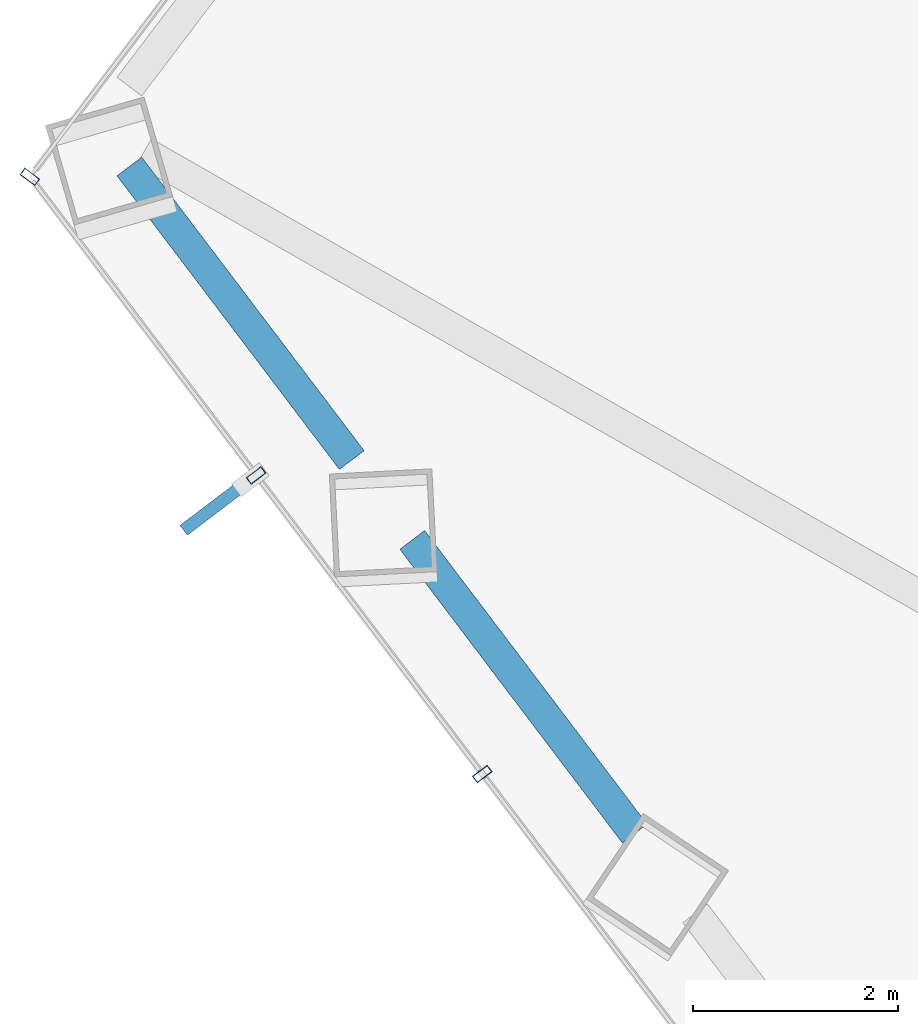
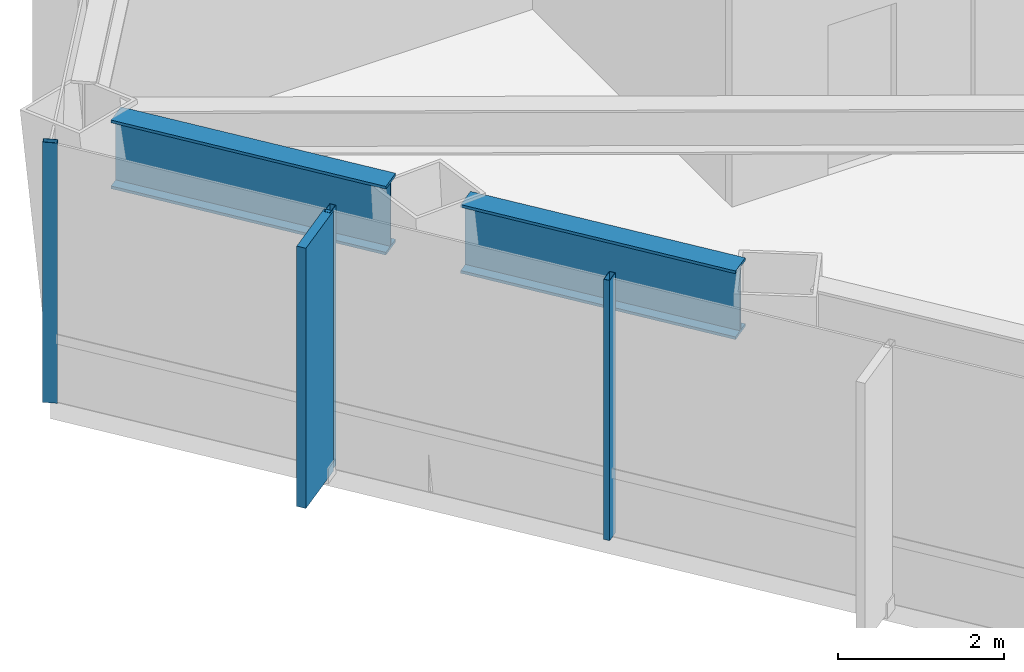
# One storey, part 3 of 26: 4 members, 2 beams, 2 elements without a shape of their own.
"""IFC4 building model written with IfcOpenShell, lengths in metres."""

import ifcopenshell
import ifcopenshell.guid

model = None  # the IFC model being written
_history = None  # IfcOwnerHistory: only IFC2X3 demands one
_inside = {}  # id of a spatial element -> (the spatial element, [elements in it])
_under = {}  # id of a project, library or spatial element -> (it, [spatial elements below it])
_declared = {}  # id of a project -> (the project, [libraries it declares])
_typed = {}  # id of a type object -> (the type object, [elements of that type])
_made_of = {}  # id of a material, layer set ... -> (it, [elements and type objects made of it])


def new_model(schema):
    """Start an empty IFC model of exactly this schema.

    Asked for "IFC4X3", IfcOpenShell would pick the latest addendum, in which some entities
    have other attributes; the version numbers below select the first issue.
    IFC2X3 requires an IfcOwnerHistory on every rooted entity: one is made here for all.
    """
    global model, _history
    if schema == "IFC4X3":
        model = ifcopenshell.file(schema_version=(4, 3, 0, 0))
    else:
        model = ifcopenshell.file(schema=schema)
    _inside.clear()
    _under.clear()
    _declared.clear()
    _typed.clear()
    _made_of.clear()
    _history = None
    if model.schema == "IFC2X3":
        org = make("IfcOrganization", Name="unknown")
        user = make(
            "IfcPersonAndOrganization",
            ThePerson=make("IfcPerson", FamilyName="unknown"),
            TheOrganization=org,
        )
        app = make(
            "IfcApplication",
            ApplicationDeveloper=org,
            Version="unknown",
            ApplicationFullName="unknown",
            ApplicationIdentifier="unknown",
        )
        _history = make(
            "IfcOwnerHistory",
            OwningUser=user,
            OwningApplication=app,
            ChangeAction="ADDED",
            CreationDate=0,
        )
    return model


def make(cls, **values):
    """One entity of the class cls with the attributes given. An attribute that is None is left unset."""
    return model.create_entity(
        cls, **{name: value for name, value in values.items() if value is not None}
    )


def rooted(cls, **values):
    """An entity with a GlobalId (a new one), such as an element, a storey or a relation."""
    return make(cls, GlobalId=ifcopenshell.guid.new(), OwnerHistory=_history, **values)


def si_unit(unit_type, name, prefix=None):
    """IfcSIUnit, for example si_unit("LENGTHUNIT", "METRE", prefix="MILLI")."""
    return make("IfcSIUnit", UnitType=unit_type, Prefix=prefix, Name=name)


def assignment(units):
    """IfcUnitAssignment: the units of a project."""
    return None if units is None else make("IfcUnitAssignment", Units=units)


def point(xyz):
    """IfcCartesianPoint."""
    return None if xyz is None else make("IfcCartesianPoint", Coordinates=xyz)


def direction(xyz):
    """IfcDirection."""
    return None if xyz is None else make("IfcDirection", DirectionRatios=xyz)


def frame(location, z_axis=None, x_axis=None):
    """IfcAxis2Placement3D, a coordinate frame: its origin and axes. An axis left out is left unset."""
    return make(
        "IfcAxis2Placement3D",
        Location=point(location),
        Axis=direction(z_axis),
        RefDirection=direction(x_axis),
    )


def frame_2d(location, x_axis=None):
    """IfcAxis2Placement2D, a coordinate frame in the plane: its origin and x axis."""
    return make(
        "IfcAxis2Placement2D", Location=point(location), RefDirection=direction(x_axis)
    )


def origin():
    """The frame at (0, 0, 0) with its axes left unset."""
    return frame((0.0, 0.0, 0.0))


def origin_2d():
    """The frame at (0, 0) in the plane with its x axis left unset."""
    return frame_2d((0.0, 0.0))


def place(relative_to, where):
    """IfcLocalPlacement: puts the frame where relative to a parent placement (None: the world)."""
    return make(
        "IfcLocalPlacement", PlacementRelTo=relative_to, RelativePlacement=where
    )


def context(
    kind, dimensions, precision=None, world=None, true_north=None, identifier=None
):
    """IfcGeometricRepresentationContext, for example the 3D "Model" context."""
    return make(
        "IfcGeometricRepresentationContext",
        ContextIdentifier=identifier,
        ContextType=kind,
        CoordinateSpaceDimension=dimensions,
        Precision=precision,
        WorldCoordinateSystem=world,
        TrueNorth=true_north,
    )


def subcontext(parent, identifier, kind, view, scale=None):
    """IfcGeometricRepresentationSubContext, for example "Body" below "Model"."""
    return make(
        "IfcGeometricRepresentationSubContext",
        ContextIdentifier=identifier,
        ContextType=kind,
        ParentContext=parent,
        TargetScale=scale,
        TargetView=view,
    )


def project(units=None, contexts=None):
    """IfcProject with its units and contexts."""
    return rooted(
        "IfcProject",
        Name="project",
        RepresentationContexts=contexts,
        UnitsInContext=assignment(units),
    )


def spatial(cls, under=None, at=None, **own):
    """A site, building, storey or space (cls), placed at a placement, below another one or the project."""
    s = rooted(cls, ObjectPlacement=at, **own)
    if under is not None:
        _under.setdefault(under.id(), (under, []))[1].append(s)
    return s


def profile(cls, at=None, kind="AREA", **sizes):
    """A parametric profile (cls). Its sizes go by their IFC names, for example OverallWidth=200.0."""
    return make(cls, ProfileType=kind, Position=at, **sizes)


def rectangle(**sizes):
    """IfcRectangleProfileDef."""
    return profile("IfcRectangleProfileDef", **sizes)


def hollow_rectangle(**sizes):
    """IfcRectangleHollowProfileDef."""
    return profile("IfcRectangleHollowProfileDef", **sizes)


def i_section(**sizes):
    """IfcIShapeProfileDef."""
    return profile("IfcIShapeProfileDef", **sizes)


def extrude(swept, where, along, depth):
    """IfcExtrudedAreaSolid: the profile swept, set in the frame where, extruded along a direction by depth."""
    return make(
        "IfcExtrudedAreaSolid",
        SweptArea=swept,
        Position=where,
        ExtrudedDirection=direction(along),
        Depth=depth,
    )


def shape(context_of_items, identifier, shape_type, items):
    """IfcShapeRepresentation: the items that make up one representation, for example the "Body"."""
    return make(
        "IfcShapeRepresentation",
        ContextOfItems=context_of_items,
        RepresentationIdentifier=identifier,
        RepresentationType=shape_type,
        Items=items,
    )


def material(Name=None, Category=None):
    """IfcMaterial."""
    return make("IfcMaterial", Name=Name, Category=Category)


def layer(
    of_material, thickness, ventilated=None, Name=None, Category=None, Priority=None
):
    """IfcMaterialLayer: one layer of a wall or slab, of a material (None: an air gap)."""
    return make(
        "IfcMaterialLayer",
        Material=of_material,
        LayerThickness=thickness,
        IsVentilated=ventilated,
        Name=Name,
        Category=Category,
        Priority=Priority,
    )


def layer_set(layers, Name=None):
    """IfcMaterialLayerSet."""
    return make("IfcMaterialLayerSet", MaterialLayers=layers, LayerSetName=Name)


def material_profile(
    of_material, cross_section, Name=None, Category=None, Priority=None
):
    """IfcMaterialProfile: a cross section and its material."""
    return make(
        "IfcMaterialProfile",
        Name=Name,
        Material=of_material,
        Profile=cross_section,
        Priority=Priority,
        Category=Category,
    )


def profile_set(profiles, Name=None, composite=None):
    """IfcMaterialProfileSet."""
    return make(
        "IfcMaterialProfileSet",
        Name=Name,
        MaterialProfiles=profiles,
        CompositeProfile=composite,
    )


def made_of(thing, what):
    """Note that an element or type object is made of a material, layer set ...; save() writes the relation."""
    if what is not None:
        _made_of.setdefault(what.id(), (what, []))[1].append(thing)
    return thing


def type_object(cls, material=None, **own):
    """A type object (cls), such as IfcWallType, which elements share."""
    return made_of(rooted(cls, **own), material)


def element(
    cls,
    number,
    at=None,
    inside=None,
    cuts=None,
    type_object=None,
    material=None,
    context=None,
    identifier="Body",
    shape_type=None,
    held_by="IfcProductDefinitionShape",
    body=None,
    shapes=None,
    **own,
):
    """One element of the class cls, such as IfcWall. Its Tag is "e" and its number.

    at: its placement. inside: the storey or other place that contains it. cuts: it is an
    opening in that element (IfcRelVoidsElement). A single representation is given by context,
    identifier, shape_type and body (its items); several are given by shapes. held_by: the class
    of the entity that holds the representations. save() writes the other relations.
    """
    e = rooted(cls, Tag="e%d" % number, ObjectPlacement=at, **own)
    if body is not None:
        shapes = [shape(context, identifier, shape_type, body)]
    if shapes is not None:
        e.Representation = make(held_by, Representations=shapes)
    if inside is not None:
        _inside.setdefault(inside.id(), (inside, []))[1].append(e)
    if cuts is not None:
        rooted(
            "IfcRelVoidsElement", RelatingBuildingElement=cuts, RelatedOpeningElement=e
        )
    if type_object is not None:
        _typed.setdefault(type_object.id(), (type_object, []))[1].append(e)
    return made_of(e, material)


def aggregate(whole, parts):
    """IfcRelAggregates: a whole, such as a stair, and the parts it consists of."""
    return rooted("IfcRelAggregates", RelatingObject=whole, RelatedObjects=parts)


def save(model, path):
    """Write the relations noted so far, then the file.

    IfcRelAggregates (storeys below a building ...), IfcRelContainedInSpatialStructure (elements
    in a storey), IfcRelDefinesByType, IfcRelAssociatesMaterial and IfcRelDeclares: one each for
    every whole, place, type object, material and project.
    """
    for whole, parts in _under.values():
        aggregate(whole, parts)
    for where, things in _inside.values():
        rooted(
            "IfcRelContainedInSpatialStructure",
            RelatedElements=things,
            RelatingStructure=where,
        )
    for kind, things in _typed.values():
        rooted("IfcRelDefinesByType", RelatedObjects=things, RelatingType=kind)
    for what, things in _made_of.values():
        rooted("IfcRelAssociatesMaterial", RelatedObjects=things, RelatingMaterial=what)
    for by, libraries in _declared.values():
        rooted("IfcRelDeclares", RelatingContext=by, RelatedDefinitions=libraries)
    model.write(path)


model = new_model("IFC4")

# Units and contexts
model_context = context("Model", 3, precision=1e-05, world=origin(), true_north=direction((0.0, 1.0)))
body_context = subcontext(model_context, "Body", "Model", "MODEL_VIEW")
ifc_project = project(units=[si_unit("LENGTHUNIT", "METRE"), si_unit("AREAUNIT", "SQUARE_METRE"), si_unit("VOLUMEUNIT", "CUBIC_METRE"), si_unit("PLANEANGLEUNIT", "RADIAN"), si_unit("MASSUNIT", "GRAM", prefix="KILO")], contexts=[model_context])

# Site, building, storey
site_placement = place(None, origin())
site = spatial("IfcSite", under=ifc_project, at=site_placement, CompositionType="ELEMENT")
building_placement = place(site_placement, origin())
building = spatial("IfcBuilding", under=site, at=building_placement, Name="Zarrinselat Tower", CompositionType="ELEMENT")
storey_placement = place(building_placement, frame((0.0, 0.0, 35.699951171875)))
storey = spatial("IfcBuildingStorey", under=building, at=storey_placement, Name="L08", CompositionType="ELEMENT", Elevation=35.699951171875)

# Beams
ifc_material_1 = material(Name="Steel S460M", Category="steel")
ifc_material_profile_1 = material_profile(ifc_material_1, i_section(OverallWidth=0.302001953125, OverallDepth=1.008056640625, WebThickness=0.02099609375, FlangeThickness=0.0400390625, at=origin_2d()), Name="HEM 1000")
ifc_profile_set_1 = profile_set([ifc_material_profile_1], Name="Steel S460M")
beam_type = type_object("IfcBeamType", Name="BM-HEM1000", PredefinedType="BEAM", material=ifc_profile_set_1)
for number, where, z_axis, x_axis, name in (
    (1, (16.921875, 33.83203125, 3.316162109375), (0.603858998435, -0.797091155395, 0.0), (0.797091155395, 0.603858998435, 0.0), "L08 Perimeter Spandrel Girder SP06"),
    (2, (19.67724609375, 30.195068359375, 3.316162109375), (0.603815751357, -0.797123916598, 0.0), (0.797123916598, 0.603815751357, 0.0), "L08 Perimeter Spandrel Girder SP07"),
):
    element("IfcBeam", number, at=place(storey_placement, frame(where, z_axis=z_axis, x_axis=x_axis)), inside=storey, type_object=beam_type, Name=name, PredefinedType="BEAM", context=body_context, shape_type="SweptSolid", body=[
        extrude(i_section(OverallWidth=0.302001953125, OverallDepth=1.008056640625, WebThickness=0.02099609375, FlangeThickness=0.0400390625, at=origin_2d()), origin(), (0.0, 0.0, 1.0), 3.5869140625),
    ])

# Curtain wall, member
ifc_material_2 = material(Name="Extruded Aluminium Alloy EN AW-6063 T6", Category="aluminium")
ifc_layer = layer(ifc_material_2, 0.18505859375)
ifc_layer_set = layer_set([ifc_layer], Name="Extruded Aluminium Alloy EN AW-6063 T6")
curtain_wall_type = type_object("IfcCurtainWallType", Name="CWS-OFF", PredefinedType="NOTDEFINED", material=ifc_layer_set)
curtain_wall_1_placement = place(storey_placement, origin())
curtain_wall_1 = element("IfcCurtainWall", 3, at=curtain_wall_1_placement, inside=storey, type_object=curtain_wall_type, Name="L08 Unitised Curtain Wall CW-L08-E02", PredefinedType="NOTDEFINED")
ifc_material_3 = material(Name="Extruded Aluminium Alloy EN AW-6063 T6", Category="aluminium")
ifc_material_profile_2 = material_profile(ifc_material_3, hollow_rectangle(XDim=0.080078125, YDim=0.179931640625, WallThickness=0.0048828125, at=origin_2d()), Name="RHS 180x80x5")
ifc_profile_set_2 = profile_set([ifc_material_profile_2], Name="Extruded Aluminium Alloy EN AW-6063 T6")
member_type_1 = type_object("IfcMemberType", Name="MEM-CW-MUL", PredefinedType="MULLION", material=ifc_profile_set_2)
member_1_placement = place(storey_placement, frame((15.95263671875, 33.7314453125, 0.0), z_axis=(0.0, 0.0, 1.0), x_axis=(-0.603858715485, -0.797091369752, 0.0)))
member_1 = element("IfcMember", 4, at=member_1_placement, type_object=member_type_1, Name="CW-L08-E02 Mullion 9", PredefinedType="MULLION", context=body_context, shape_type="SweptSolid", body=[
    extrude(hollow_rectangle(XDim=0.080078125, YDim=0.179931640625, WallThickness=0.0048828125, at=origin_2d()), origin(), (0.0, 0.0, 1.0), 3.820068359375),
])
aggregate(curtain_wall_1, [member_1])

# Curtain wall, members
curtain_wall_2_placement = place(storey_placement, origin())
curtain_wall_2 = element("IfcCurtainWall", 5, at=curtain_wall_2_placement, inside=storey, type_object=curtain_wall_type, Name="L08 Unitised Curtain Wall CW-L08-E03", PredefinedType="NOTDEFINED")
member_2_placement = place(storey_placement, frame((18.156005859375, 30.8232421875, 0.0), z_axis=(0.0, 0.0, 1.0), x_axis=(0.603858215687, -0.797091748388, 0.0)))
member_2 = element("IfcMember", 6, at=member_2_placement, type_object=member_type_1, Name="CW-L08-E03 Mullion 1", PredefinedType="MULLION", context=body_context, shape_type="SweptSolid", body=[
    extrude(hollow_rectangle(XDim=0.080078125, YDim=0.179931640625, WallThickness=0.0048828125, at=origin_2d()), origin(), (0.0, 0.0, 1.0), 3.820068359375),
])
member_3_placement = place(storey_placement, frame((20.359130859375, 27.9150390625, 0.0), z_axis=(0.0, 0.0, 1.0), x_axis=(0.603858215687, -0.797091748388, 0.0)))
member_3 = element("IfcMember", 7, at=member_3_placement, type_object=member_type_1, Name="CW-L08-E03 Mullion 2", PredefinedType="MULLION", context=body_context, shape_type="SweptSolid", body=[
    extrude(hollow_rectangle(XDim=0.080078125, YDim=0.179931640625, WallThickness=0.0048828125, at=origin_2d()), origin(), (0.0, 0.0, 1.0), 3.820068359375),
])
ifc_material_4 = material(Name="Honed Cream Travertine Stone", Category="masonry")
ifc_material_profile_3 = material_profile(ifc_material_4, rectangle(XDim=0.1201171875, YDim=0.85009765625, at=origin_2d()), Name="FIN 850x120")
ifc_profile_set_3 = profile_set([ifc_material_profile_3], Name="Honed Cream Travertine Stone")
member_type_2 = type_object("IfcMemberType", Name="MEM-STONE-FIN", PredefinedType="USERDEFINED", material=ifc_profile_set_3)
member_4_placement = place(storey_placement, frame((17.789306640625, 30.54541015625, 0.0), z_axis=(0.0, 0.0, 1.0), x_axis=(-0.603858215687, 0.797091748388, 0.0)))
member_4 = element("IfcMember", 8, at=member_4_placement, type_object=member_type_2, Name="L08 Stone Shading Fin CW-L08-E03-01", ObjectType="FIN", PredefinedType="USERDEFINED", context=body_context, shape_type="SweptSolid", body=[
    extrude(rectangle(XDim=0.1201171875, YDim=0.85009765625, at=origin_2d()), origin(), (0.0, 0.0, 1.0), 3.820068359375),
])
aggregate(curtain_wall_2, [member_2, member_4, member_3])

save(model, "model.ifc")
